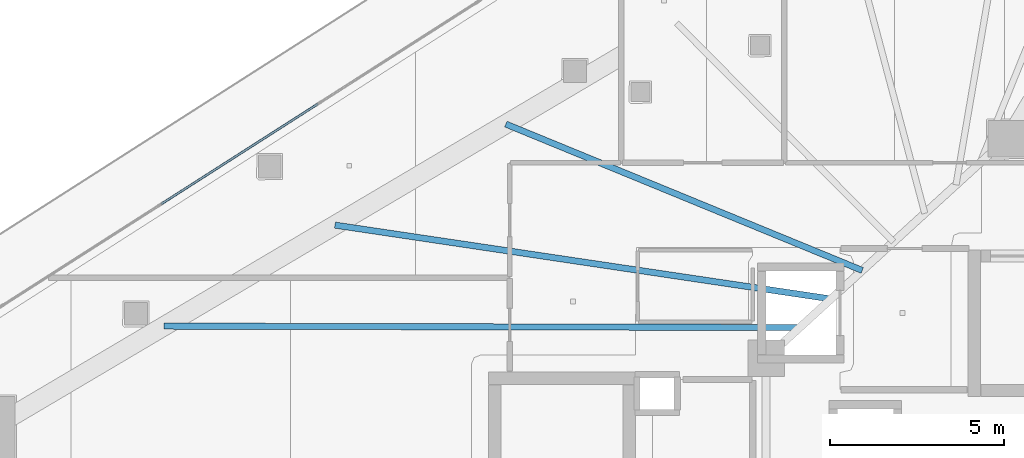
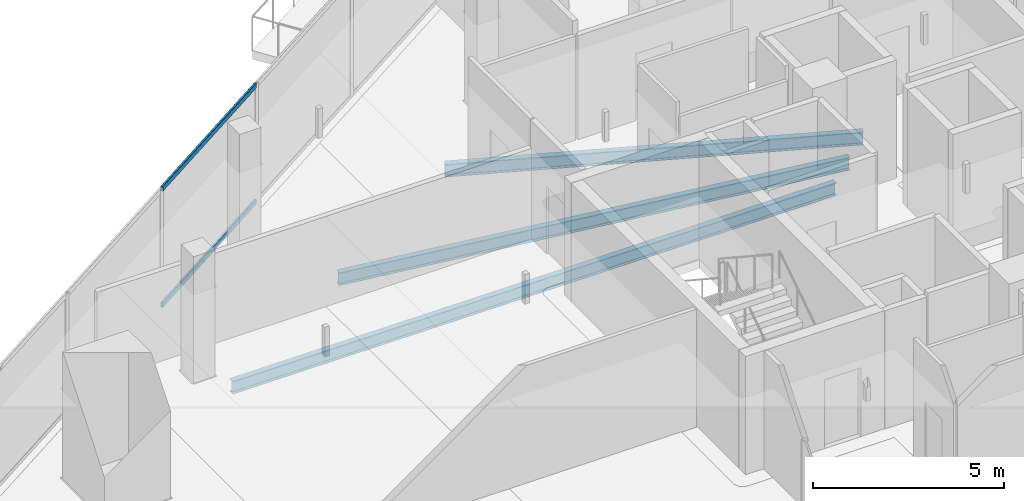
# One storey, part 15 of 39: 3 beams, 2 members, 1 element without a shape of its own.
"""IFC4 building model written with IfcOpenShell, lengths in metres."""

from ifc_helpers import new_model, si_unit, direction, frame, origin, origin_2d, place, context, subcontext, project, spatial, hollow_rectangle, i_section, extrude, material, layer, layer_set, material_profile, profile_set, type_object, element, aggregate, save


model = new_model("IFC4")

# Units and contexts
model_context = context("Model", 3, precision=1e-05, world=origin(), true_north=direction((0.0, 1.0)))
body_context = subcontext(model_context, "Body", "Model", "MODEL_VIEW")
ifc_project = project(units=[si_unit("LENGTHUNIT", "METRE"), si_unit("AREAUNIT", "SQUARE_METRE"), si_unit("VOLUMEUNIT", "CUBIC_METRE"), si_unit("PLANEANGLEUNIT", "RADIAN"), si_unit("MASSUNIT", "GRAM", prefix="KILO")], contexts=[model_context])

# Site, building, storey
site_placement = place(None, origin())
site = spatial("IfcSite", under=ifc_project, at=site_placement, CompositionType="ELEMENT")
building_placement = place(site_placement, origin())
building = spatial("IfcBuilding", under=site, at=building_placement, Name="Qorvath Tower", CompositionType="ELEMENT")
storey_placement = place(building_placement, frame((0.0, 0.0, 142.199951171875)))
storey = spatial("IfcBuildingStorey", under=building, at=storey_placement, Name="L32", CompositionType="ELEMENT", Elevation=142.199951171875)

# Beams
ifc_material_1 = material(Name="Steel ASTM A992 Grade 50", Category="steel")
ifc_material_profile_1 = material_profile(ifc_material_1, i_section(OverallWidth=0.177978515625, OverallDepth=0.406005859375, WebThickness=0.0078125, FlangeThickness=0.0126953125, FilletRadius=0.010986328125, at=origin_2d()), Name="W16x40")
ifc_profile_set_1 = profile_set([ifc_material_profile_1], Name="Steel ASTM A992 Grade 50")
beam_type = type_object("IfcBeamType", Name="BM-FJ3", PredefinedType="JOIST", material=ifc_profile_set_1)
beam_1_placement = place(storey_placement, frame((-29.533935546875, 6.031982421875, -0.47314453125), z_axis=(-0.999997589883, 0.002195501951, 0.0), x_axis=(-0.002195501951, -0.999997589883, 0.0)))
element("IfcBeam", 1, at=beam_1_placement, inside=storey, type_object=beam_type, Name="Composite Floor Joist NW1 L32", PredefinedType="JOIST", context=body_context, shape_type="SweptSolid", body=[
    extrude(i_section(OverallWidth=0.177978515625, OverallDepth=0.406005859375, WebThickness=0.0078125, FlangeThickness=0.0126953125, FilletRadius=0.010986328125, at=origin_2d()), origin(), (0.0, 0.0, 1.0), 18.23681640625),
])
beam_2_placement = place(storey_placement, frame((-28.636962890625, 6.85107421875, -0.47314453125), z_axis=(-0.989092860328, 0.147293291256, 0.0), x_axis=(-0.147293291256, -0.989092860328, 0.0)))
element("IfcBeam", 2, at=beam_2_placement, inside=storey, type_object=beam_type, Name="Composite Floor Joist NW2 L32", PredefinedType="JOIST", context=body_context, shape_type="SweptSolid", body=[
    extrude(i_section(OverallWidth=0.177978515625, OverallDepth=0.406005859375, WebThickness=0.0078125, FlangeThickness=0.0126953125, FilletRadius=0.010986328125, at=origin_2d()), origin(), (0.0, 0.0, 1.0), 14.388916015625),
])
beam_3_placement = place(storey_placement, frame((-27.739990234375, 7.669921875, -0.47314453125), z_axis=(-0.925068176006, 0.379801092338, 0.0), x_axis=(-0.379801092338, -0.925068176006, 0.0)))
element("IfcBeam", 3, at=beam_3_placement, inside=storey, type_object=beam_type, Name="Composite Floor Joist NW3 L32", PredefinedType="JOIST", context=body_context, shape_type="SweptSolid", body=[
    extrude(i_section(OverallWidth=0.177978515625, OverallDepth=0.406005859375, WebThickness=0.0078125, FlangeThickness=0.0126953125, FilletRadius=0.010986328125, at=origin_2d()), origin(), (0.0, 0.0, 1.0), 11.0556640625),
])

# Curtain wall, members
ifc_material_2 = material(Name="Anodised aluminium and triple low-E glass", Category="aluminium")
ifc_layer = layer(ifc_material_2, 0.179931640625)
ifc_layer_set = layer_set([ifc_layer], Name="CW-SYS-3")
curtain_wall_type = type_object("IfcCurtainWallType", Name="CW-SYS-3", PredefinedType="NOTDEFINED", material=ifc_layer_set)
curtain_wall_placement = place(storey_placement, origin())
curtain_wall = element("IfcCurtainWall", 4, at=curtain_wall_placement, inside=storey, type_object=curtain_wall_type, Name="Curtain Wall CW-3 CW-T-L32-16.1", PredefinedType="NOTDEFINED")
ifc_material_3 = material(Name="Anodised aluminium 6063-T6", Category="aluminium")
ifc_material_profile_2 = material_profile(ifc_material_3, hollow_rectangle(XDim=0.06494140625, YDim=0.159912109375, WallThickness=0.00341796875, InnerFilletRadius=0.00341796875, OuterFilletRadius=0.007080078125, at=origin_2d()), Name="CWT 160x65")
ifc_profile_set_2 = profile_set([ifc_material_profile_2], Name="Anodised aluminium 6063-T6")
member_type = type_object("IfcMemberType", Name="CWT-160", PredefinedType="USERDEFINED", material=ifc_profile_set_2)
member_1_placement = place(storey_placement, frame((-43.360107421875, 12.44775390625, 0.032470703125), z_axis=(-0.842608601225, -0.538526457234, 0.0), x_axis=(0.538526457234, -0.842608601225, 0.0)))
member_1 = element("IfcMember", 5, at=member_1_placement, type_object=member_type, Name="CW-3 transom 7.1", ObjectType="TRANSOM", PredefinedType="USERDEFINED", context=body_context, shape_type="SweptSolid", body=[
    extrude(hollow_rectangle(XDim=0.06494140625, YDim=0.159912109375, WallThickness=0.00341796875, InnerFilletRadius=0.00341796875, OuterFilletRadius=0.007080078125, at=origin_2d()), origin(), (0.0, 0.0, 1.0), 5.3359375),
])
member_2_placement = place(storey_placement, frame((-43.360107421875, 12.44775390625, 3.74755859375), z_axis=(-0.842608601225, -0.538526457234, 0.0), x_axis=(0.538526457234, -0.842608601225, 0.0)))
member_2 = element("IfcMember", 6, at=member_2_placement, type_object=member_type, Name="CW-3 transom 7.2", ObjectType="TRANSOM", PredefinedType="USERDEFINED", context=body_context, shape_type="SweptSolid", body=[
    extrude(hollow_rectangle(XDim=0.06494140625, YDim=0.159912109375, WallThickness=0.00341796875, InnerFilletRadius=0.00341796875, OuterFilletRadius=0.007080078125, at=origin_2d()), origin(), (0.0, 0.0, 1.0), 5.3359375),
])
aggregate(curtain_wall, [member_1, member_2])

save(model, "model.ifc")
